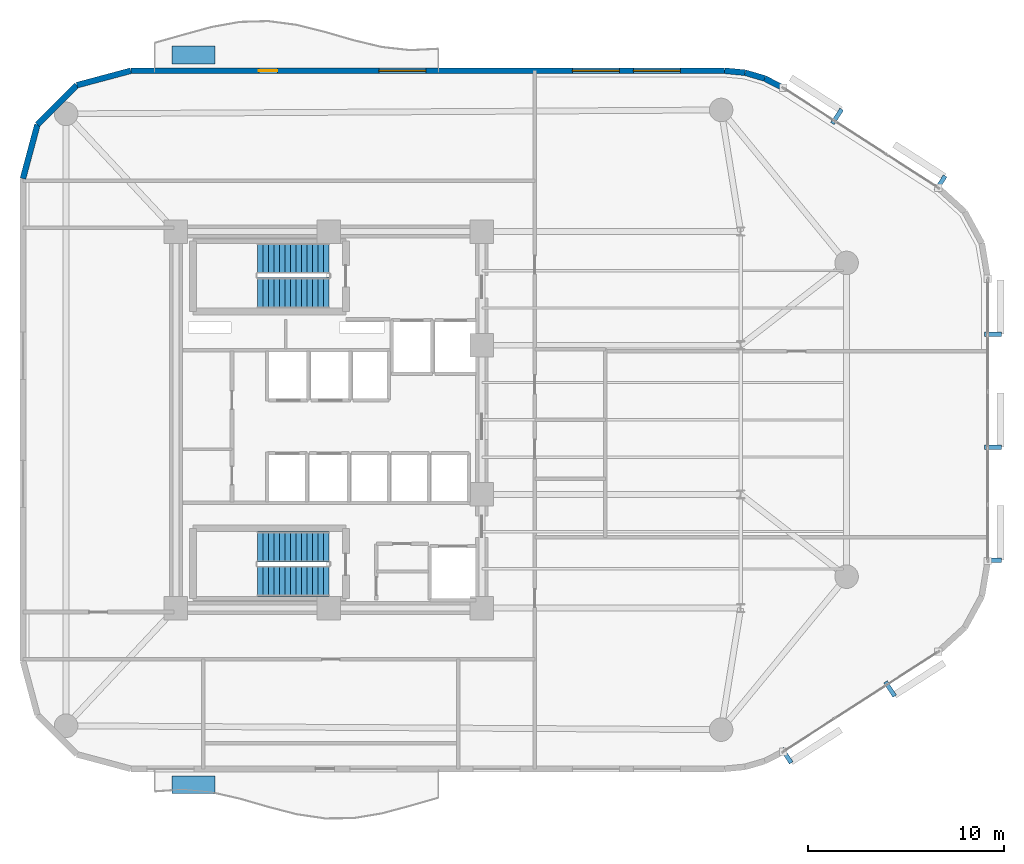
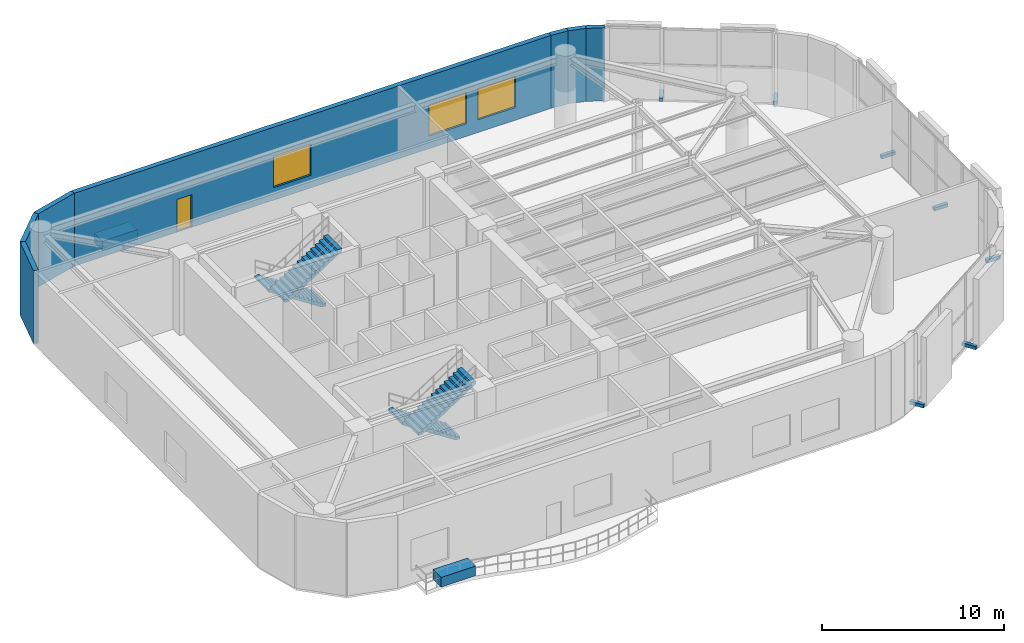
# One storey, part 10 of 12: 9 discrete accessories, 7 walls, 4 stair flights, 3 windows, 1 door, 4 openings, 2 elements without a shape of their own.
"""IFC4 building model written with IfcOpenShell, lengths in metres."""

from ifc_helpers import new_model, si_unit, direction, frame, frame_2d, origin, origin_2d, place, context, subcontext, project, spatial, polyline, rectangle, outline, extrude, material, layer, layer_set, type_object, element, fill, aggregate, save


model = new_model("IFC4")

# Units and contexts
model_context = context("Model", 3, precision=1e-05, world=origin(), true_north=direction((0.0, 1.0)))
body_context = subcontext(model_context, "Body", "Model", "MODEL_VIEW")
ifc_project = project(units=[si_unit("LENGTHUNIT", "METRE"), si_unit("AREAUNIT", "SQUARE_METRE"), si_unit("VOLUMEUNIT", "CUBIC_METRE"), si_unit("PLANEANGLEUNIT", "RADIAN"), si_unit("MASSUNIT", "GRAM", prefix="KILO")], contexts=[model_context])

# Site, building, storey
site_placement = place(None, origin())
site = spatial("IfcSite", under=ifc_project, at=site_placement, CompositionType="ELEMENT")
building_placement = place(site_placement, origin())
building = spatial("IfcBuilding", under=site, at=building_placement, Name="An Khanh Terracotta Commons", CompositionType="ELEMENT")
storey_placement = place(building_placement, frame((0.0, 0.0, 138.699951171875)))
storey = spatial("IfcBuildingStorey", under=building, at=storey_placement, Name="L36", CompositionType="ELEMENT", Elevation=138.699951171875)

# Walls
ifc_material_1 = material(Name="Precast concrete C40/50", Category="concrete")
ifc_layer = layer(ifc_material_1, 0.300048828125, Name="Precast concrete C40/50")
ifc_layer_set = layer_set([ifc_layer], Name="Precast concrete C40/50")
wall_type = type_object("IfcWallType", Name="WALL-EXT-300", PredefinedType="SOLIDWALL", material=ifc_layer_set)
wall_1_placement = place(storey_placement, frame((52.56005859375, 40.924072265625, 0.0), z_axis=(0.0, 0.0, 1.0), x_axis=(-0.888283247196, 0.459296062198, 0.0)))
element("IfcWall", 1, at=wall_1_placement, inside=storey, type_object=wall_type, Name="L36 Insulated Terracotta Exterior Wall 17", PredefinedType="SOLIDWALL", context=body_context, shape_type="SweptSolid", body=[
    extrude(rectangle(XDim=1.047119140625, YDim=0.300048828125, at=frame_2d((0.5234375, 0.0))), origin(), (0.0, 0.0, 1.0), 4.900146484375),
])
wall_2_placement = place(storey_placement, frame((51.6298828125, 41.405029296875, 0.0), z_axis=(0.0, 0.0, 1.0), x_axis=(-0.959528674476, 0.281610942363, 0.0)))
element("IfcWall", 2, at=wall_2_placement, inside=storey, type_object=wall_type, Name="L36 Insulated Terracotta Exterior Wall 18", PredefinedType="SOLIDWALL", context=body_context, shape_type="SweptSolid", body=[
    extrude(rectangle(XDim=1.04736328125, YDim=0.300048828125, at=frame_2d((0.523681640625, 0.0))), origin(), (0.0, 0.0, 1.0), 4.900146484375),
])
wall_3_placement = place(storey_placement, frame((50.625, 41.699951171875, 0.0), z_axis=(0.0, 0.0, 1.0), x_axis=(-0.995426089968, 0.095534807324, 0.0)))
element("IfcWall", 3, at=wall_3_placement, inside=storey, type_object=wall_type, Name="L36 Insulated Terracotta Exterior Wall 19", PredefinedType="SOLIDWALL", context=body_context, shape_type="SweptSolid", body=[
    extrude(rectangle(XDim=1.0478515625, YDim=0.300048828125, at=frame_2d((0.52392578125, 0.0))), origin(), (0.0, 0.0, 1.0), 4.900146484375),
])

# Wall, openings, door, windows
wall_4_placement = place(storey_placement, frame((49.58203125, 41.800048828125, 0.0), z_axis=(0.0, 0.0, 1.0), x_axis=(-1.0, 0.0, 0.0)))
wall_4 = element("IfcWall", 4, at=wall_4_placement, inside=storey, type_object=wall_type, Name="L36 Insulated Terracotta Exterior Wall 20", PredefinedType="SOLIDWALL", context=body_context, shape_type="SweptSolid", body=[
    extrude(rectangle(XDim=30.281982421875, YDim=0.300048828125, at=frame_2d((15.14111328125, 0.0))), origin(), (0.0, 0.0, 1.0), 4.900146484375),
])
opening_1_placement = place(wall_4_placement, frame((22.806884765625, 0.0, 0.0)))
opening_1 = element("IfcOpeningElement", 5, at=opening_1_placement, cuts=wall_4, Name="Opening D-BAL", PredefinedType="OPENING", context=body_context, shape_type="SweptSolid", body=[
    extrude(rectangle(XDim=0.949951171875, YDim=2.199951171875, at=frame_2d((0.47509765625, 1.10009765625))), frame((0.0, 0.159912109375, 0.0), z_axis=(0.0, -1.0, 0.0), x_axis=(1.0, 0.0, 0.0)), (0.0, 0.0, 1.0), 0.320068359375),
])
opening_2_placement = place(wall_4_placement, frame((2.260986328125, 0.0, 0.85009765625)))
opening_2 = element("IfcOpeningElement", 6, at=opening_2_placement, cuts=wall_4, Name="Opening W-07", PredefinedType="OPENING", context=body_context, shape_type="SweptSolid", body=[
    extrude(rectangle(XDim=2.39990234375, YDim=2.10009765625, at=frame_2d((1.199951171875, 1.050048828125))), frame((0.0, 0.159912109375, 0.0), z_axis=(0.0, -1.0, 0.0), x_axis=(1.0, 0.0, 0.0)), (0.0, 0.0, 1.0), 0.320068359375),
])
opening_3_placement = place(wall_4_placement, frame((5.37109375, 0.0, 0.85009765625)))
opening_3 = element("IfcOpeningElement", 7, at=opening_3_placement, cuts=wall_4, Name="Opening W-07", PredefinedType="OPENING", context=body_context, shape_type="SweptSolid", body=[
    extrude(rectangle(XDim=2.39990234375, YDim=2.10009765625, at=frame_2d((1.199951171875, 1.050048828125))), frame((0.0, 0.159912109375, 0.0), z_axis=(0.0, -1.0, 0.0), x_axis=(1.0, 0.0, 0.0)), (0.0, 0.0, 1.0), 0.320068359375),
])
opening_4_placement = place(wall_4_placement, frame((15.23193359375, 0.0, 0.85009765625)))
opening_4 = element("IfcOpeningElement", 8, at=opening_4_placement, cuts=wall_4, Name="Opening W-07", PredefinedType="OPENING", context=body_context, shape_type="SweptSolid", body=[
    extrude(rectangle(XDim=2.39990234375, YDim=2.10009765625, at=frame_2d((1.199951171875, 1.050048828125))), frame((0.0, 0.159912109375, 0.0), z_axis=(0.0, -1.0, 0.0), x_axis=(1.0, 0.0, 0.0)), (0.0, 0.0, 1.0), 0.320068359375),
])
ifc_material_2 = material(Name="Thermally Broken Aluminium and Low-E Glass", Category="aluminium")
door_type = type_object("IfcDoorType", Name="DOOR-BALC-950", OperationType="NOTDEFINED", PredefinedType="DOOR", material=ifc_material_2)
door_placement = place(opening_1_placement, origin())
door = element("IfcDoor", 9, at=door_placement, inside=storey, type_object=door_type, Name="L36 N Wave Balcony Glazed Door", OperationType="SINGLE_SWING_RIGHT", OverallHeight=2.199951171875, OverallWidth=0.949951171875, PredefinedType="DOOR", context=body_context, shape_type="SweptSolid", body=[
    extrude(rectangle(XDim=0.949951171875, YDim=2.199951171875, at=frame_2d((0.47509765625, 1.10009765625))), frame((0.0, 0.02490234375, 0.0), z_axis=(0.0, -1.0, 0.0), x_axis=(1.0, 0.0, 0.0)), (0.0, 0.0, 1.0), 0.050048828125),
])
fill(opening_1, door)
window_type = type_object("IfcWindowType", Name="WIN-SKY-2400x2100", PartitioningType="TRIPLE_PANEL_VERTICAL", PredefinedType="WINDOW", material=ifc_material_2)
window_1_placement = place(opening_2_placement, origin())
window_1 = element("IfcWindow", 10, at=window_1_placement, inside=storey, type_object=window_type, Name="L36 Operable Casement Window 20.1", OverallHeight=2.10009765625, OverallWidth=2.39990234375, PartitioningType="TRIPLE_PANEL_VERTICAL", PredefinedType="WINDOW", context=body_context, shape_type="SweptSolid", body=[
    extrude(rectangle(XDim=2.39990234375, YDim=2.10009765625, at=frame_2d((1.199951171875, 1.050048828125))), frame((0.0, 0.030029296875, 0.0), z_axis=(0.0, -1.0, 0.0), x_axis=(1.0, 0.0, 0.0)), (0.0, 0.0, 1.0), 0.06005859375),
])
fill(opening_2, window_1)
window_2_placement = place(opening_3_placement, origin())
window_2 = element("IfcWindow", 11, at=window_2_placement, inside=storey, type_object=window_type, Name="L36 Operable Casement Window 20.2", OverallHeight=2.10009765625, OverallWidth=2.39990234375, PartitioningType="TRIPLE_PANEL_VERTICAL", PredefinedType="WINDOW", context=body_context, shape_type="SweptSolid", body=[
    extrude(rectangle(XDim=2.39990234375, YDim=2.10009765625, at=frame_2d((1.199951171875, 1.050048828125))), frame((0.0, 0.030029296875, 0.0), z_axis=(0.0, -1.0, 0.0), x_axis=(1.0, 0.0, 0.0)), (0.0, 0.0, 1.0), 0.06005859375),
])
fill(opening_3, window_2)
window_3_placement = place(opening_4_placement, origin())
window_3 = element("IfcWindow", 12, at=window_3_placement, inside=storey, type_object=window_type, Name="L36 Operable Casement Window 20.3", OverallHeight=2.10009765625, OverallWidth=2.39990234375, PartitioningType="TRIPLE_PANEL_VERTICAL", PredefinedType="WINDOW", context=body_context, shape_type="SweptSolid", body=[
    extrude(rectangle(XDim=2.39990234375, YDim=2.10009765625, at=frame_2d((1.199951171875, 1.050048828125))), frame((0.0, 0.030029296875, 0.0), z_axis=(0.0, -1.0, 0.0), x_axis=(1.0, 0.0, 0.0)), (0.0, 0.0, 1.0), 0.06005859375),
])
fill(opening_4, window_3)

# Walls
wall_5_placement = place(storey_placement, frame((19.300048828125, 41.800048828125, 0.0), z_axis=(0.0, 0.0, 1.0), x_axis=(-0.965908238586, -0.258884674387, 0.0)))
element("IfcWall", 13, at=wall_5_placement, inside=storey, type_object=wall_type, Name="L36 Insulated Terracotta Exterior Wall 21", PredefinedType="SOLIDWALL", context=body_context, shape_type="SweptSolid", body=[
    extrude(rectangle(XDim=2.84716796875, YDim=0.300048828125, at=frame_2d((1.423583984375, 0.0))), origin(), (0.0, 0.0, 1.0), 4.900146484375),
])
wall_6_placement = place(storey_placement, frame((16.550048828125, 41.06298828125, 0.0), z_axis=(0.0, 0.0, 1.0), x_axis=(-0.707106781187, -0.707106781187, 0.0)))
element("IfcWall", 14, at=wall_6_placement, inside=storey, type_object=wall_type, Name="L36 Insulated Terracotta Exterior Wall 22", PredefinedType="SOLIDWALL", context=body_context, shape_type="SweptSolid", body=[
    extrude(rectangle(XDim=2.8466796875, YDim=0.300048828125, at=frame_2d((1.42333984375, 0.0))), origin(), (0.0, 0.0, 1.0), 4.900146484375),
])
wall_7_placement = place(storey_placement, frame((14.537109375, 39.050048828125, 0.0), z_axis=(0.0, 0.0, 1.0), x_axis=(-0.258884674387, -0.965908238586, 0.0)))
element("IfcWall", 15, at=wall_7_placement, inside=storey, type_object=wall_type, Name="L36 Insulated Terracotta Exterior Wall 23", PredefinedType="SOLIDWALL", context=body_context, shape_type="SweptSolid", body=[
    extrude(rectangle(XDim=2.84716796875, YDim=0.300048828125, at=frame_2d((1.423583984375, 0.0))), origin(), (0.0, 0.0, 1.0), 4.900146484375),
])

# Stair, stair flights
stair_type = type_object("IfcStairType", Name="STAIR-CORE-1550", PredefinedType="HALF_TURN_STAIR", material=ifc_material_1)
stair_1_placement = place(storey_placement, origin())
stair_1 = element("IfcStair", 16, at=stair_1_placement, inside=storey, type_object=stair_type, Name="L36 Core Smokeproof Exit Stair ST-01", PredefinedType="HALF_TURN_STAIR")
stair_flight_type = type_object("IfcStairFlightType", Name="FLIGHT-CORE-1550", PredefinedType="STRAIGHT", material=ifc_material_1)
stair_flight_1_placement = place(storey_placement, frame((29.409912109375, 32.22509765625, 0.0), z_axis=(0.0, 0.0, 1.0), x_axis=(-1.0, 0.0, 0.0)))
stair_flight_1 = element("IfcStairFlight", 17, at=stair_flight_1_placement, type_object=stair_flight_type, Name="ST-01 flight 1", NumberOfRisers=14, NumberOfTreads=13, PredefinedType="STRAIGHT", RiserHeight=0.182142857, TreadLength=0.28, context=body_context, shape_type="SweptSolid", body=[
    extrude(outline(polyline([(0.0, 0.0), (0.0, 0.18212890625), (0.280029296875, 0.18212890625), (0.280029296875, 0.3642578125), (0.56005859375, 0.3642578125), (0.56005859375, 0.54638671875), (0.840087890625, 0.54638671875), (0.840087890625, 0.728515625), (1.1201171875, 0.728515625), (1.1201171875, 0.91064453125), (1.39990234375, 0.91064453125), (1.39990234375, 1.0927734375), (1.679931640625, 1.0927734375), (1.679931640625, 1.27490234375), (1.9599609375, 1.27490234375), (1.9599609375, 1.45703125), (2.239990234375, 1.45703125), (2.239990234375, 1.639404296875), (2.52001953125, 1.639404296875), (2.52001953125, 1.821533203125), (2.800048828125, 1.821533203125), (2.800048828125, 2.003662109375), (3.080078125, 2.003662109375), (3.080078125, 2.185791015625), (3.360107421875, 2.185791015625), (3.360107421875, 2.367919921875), (3.639892578125, 2.367919921875), (3.639892578125, 2.550048828125), (3.639892578125, 2.18896484375), (0.27490234375, 0.0), (0.0, 0.0)])), frame((0.0, 0.77490234375, 0.0), z_axis=(0.0, -1.0, 0.0), x_axis=(1.0, 0.0, 0.0)), (0.0, 0.0, 1.0), 1.550048828125),
])
stair_flight_2_placement = place(storey_placement, frame((25.77001953125, 30.47509765625, 2.550048828125), z_axis=(0.0, 0.0, 1.0), x_axis=(1.0, 0.0, 0.0)))
stair_flight_2 = element("IfcStairFlight", 18, at=stair_flight_2_placement, type_object=stair_flight_type, Name="ST-01 flight 2", NumberOfRisers=14, NumberOfTreads=13, PredefinedType="STRAIGHT", RiserHeight=0.182142857, TreadLength=0.28, context=body_context, shape_type="SweptSolid", body=[
    extrude(outline(polyline([(0.0, 0.0), (0.0, 0.18212890625), (0.280029296875, 0.18212890625), (0.280029296875, 0.3642578125), (0.56005859375, 0.3642578125), (0.56005859375, 0.54638671875), (0.840087890625, 0.54638671875), (0.840087890625, 0.728515625), (1.1201171875, 0.728515625), (1.1201171875, 0.91064453125), (1.39990234375, 0.91064453125), (1.39990234375, 1.0927734375), (1.679931640625, 1.0927734375), (1.679931640625, 1.27490234375), (1.9599609375, 1.27490234375), (1.9599609375, 1.45703125), (2.239990234375, 1.45703125), (2.239990234375, 1.639404296875), (2.52001953125, 1.639404296875), (2.52001953125, 1.821533203125), (2.800048828125, 1.821533203125), (2.800048828125, 2.003662109375), (3.080078125, 2.003662109375), (3.080078125, 2.185791015625), (3.360107421875, 2.185791015625), (3.360107421875, 2.367919921875), (3.639892578125, 2.367919921875), (3.639892578125, 2.550048828125), (3.639892578125, 2.18896484375), (0.27490234375, 0.0), (0.0, 0.0)])), frame((0.0, 0.77490234375, 0.0), z_axis=(0.0, -1.0, 0.0), x_axis=(1.0, 0.0, 0.0)), (0.0, 0.0, 1.0), 1.550048828125),
])
aggregate(stair_1, [stair_flight_1, stair_flight_2])

stair_2_placement = place(storey_placement, origin())
stair_2 = element("IfcStair", 19, at=stair_2_placement, inside=storey, type_object=stair_type, Name="L36 Core Smokeproof Exit Stair ST-02", PredefinedType="HALF_TURN_STAIR")
stair_flight_3_placement = place(storey_placement, frame((29.409912109375, 17.52490234375, 0.0), z_axis=(0.0, 0.0, 1.0), x_axis=(-1.0, 0.0, 0.0)))
stair_flight_3 = element("IfcStairFlight", 20, at=stair_flight_3_placement, type_object=stair_flight_type, Name="ST-02 flight 1", NumberOfRisers=14, NumberOfTreads=13, PredefinedType="STRAIGHT", RiserHeight=0.182142857, TreadLength=0.28, context=body_context, shape_type="SweptSolid", body=[
    extrude(outline(polyline([(0.0, 0.0), (0.0, 0.18212890625), (0.280029296875, 0.18212890625), (0.280029296875, 0.3642578125), (0.56005859375, 0.3642578125), (0.56005859375, 0.54638671875), (0.840087890625, 0.54638671875), (0.840087890625, 0.728515625), (1.1201171875, 0.728515625), (1.1201171875, 0.91064453125), (1.39990234375, 0.91064453125), (1.39990234375, 1.0927734375), (1.679931640625, 1.0927734375), (1.679931640625, 1.27490234375), (1.9599609375, 1.27490234375), (1.9599609375, 1.45703125), (2.239990234375, 1.45703125), (2.239990234375, 1.639404296875), (2.52001953125, 1.639404296875), (2.52001953125, 1.821533203125), (2.800048828125, 1.821533203125), (2.800048828125, 2.003662109375), (3.080078125, 2.003662109375), (3.080078125, 2.185791015625), (3.360107421875, 2.185791015625), (3.360107421875, 2.367919921875), (3.639892578125, 2.367919921875), (3.639892578125, 2.550048828125), (3.639892578125, 2.18896484375), (0.27490234375, 0.0), (0.0, 0.0)])), frame((0.0, 0.77490234375, 0.0), z_axis=(0.0, -1.0, 0.0), x_axis=(1.0, 0.0, 0.0)), (0.0, 0.0, 1.0), 1.550048828125),
])
stair_flight_4_placement = place(storey_placement, frame((25.77001953125, 15.77490234375, 2.550048828125), z_axis=(0.0, 0.0, 1.0), x_axis=(1.0, 0.0, 0.0)))
stair_flight_4 = element("IfcStairFlight", 21, at=stair_flight_4_placement, type_object=stair_flight_type, Name="ST-02 flight 2", NumberOfRisers=14, NumberOfTreads=13, PredefinedType="STRAIGHT", RiserHeight=0.182142857, TreadLength=0.28, context=body_context, shape_type="SweptSolid", body=[
    extrude(outline(polyline([(0.0, 0.0), (0.0, 0.18212890625), (0.280029296875, 0.18212890625), (0.280029296875, 0.3642578125), (0.56005859375, 0.3642578125), (0.56005859375, 0.54638671875), (0.840087890625, 0.54638671875), (0.840087890625, 0.728515625), (1.1201171875, 0.728515625), (1.1201171875, 0.91064453125), (1.39990234375, 0.91064453125), (1.39990234375, 1.0927734375), (1.679931640625, 1.0927734375), (1.679931640625, 1.27490234375), (1.9599609375, 1.27490234375), (1.9599609375, 1.45703125), (2.239990234375, 1.45703125), (2.239990234375, 1.639404296875), (2.52001953125, 1.639404296875), (2.52001953125, 1.821533203125), (2.800048828125, 1.821533203125), (2.800048828125, 2.003662109375), (3.080078125, 2.003662109375), (3.080078125, 2.185791015625), (3.360107421875, 2.185791015625), (3.360107421875, 2.367919921875), (3.639892578125, 2.367919921875), (3.639892578125, 2.550048828125), (3.639892578125, 2.18896484375), (0.27490234375, 0.0), (0.0, 0.0)])), frame((0.0, 0.77490234375, 0.0), z_axis=(0.0, -1.0, 0.0), x_axis=(1.0, 0.0, 0.0)), (0.0, 0.0, 1.0), 1.550048828125),
])
aggregate(stair_2, [stair_flight_3, stair_flight_4])

# Discrete accessories
ifc_material_3 = material(Name="Stainless Steel Grade 316L", Category="steel")
discrete_accessory_type_1 = type_object("IfcDiscreteAccessoryType", Name="Stainless Outrigger Facade Bracket", PredefinedType="BRACKET", material=ifc_material_3)
for number, where, z_axis, x_axis, name in (
    (22, (52.737060546875, 6.875, 0.06982421875), (0.0, 0.0, 1.0), (0.840702081986, 0.541497931062, 0.0), "L36 Terracotta Screen Outrigger Bracket 1"),
    (23, (58.01611328125, 10.27490234375, 0.06982421875), (0.0, 0.0, 1.0), (0.840702081986, 0.541497931062, 0.0), "L36 Terracotta Screen Outrigger Bracket 3"),
    (24, (63.264892578125, 16.840087890625, 0.06982421875), (0.0, 0.0, 1.0), (0.0, 1.0, 0.0), "L36 Terracotta Screen Outrigger Bracket 1"),
    (25, (63.264892578125, 22.60009765625, 0.06982421875), (0.0, 0.0, 1.0), (0.0, 1.0, 0.0), "L36 Terracotta Screen Outrigger Bracket 3"),
    (26, (63.264892578125, 28.360107421875, 0.06982421875), (0.0, 0.0, 1.0), (0.0, 1.0, 0.0), "L36 Terracotta Screen Outrigger Bracket 5"),
    (27, (60.587890625, 36.068115234375, 0.06982421875), (0.0, 0.0, 1.0), (-0.840702081986, 0.541497931062, 0.0), "L36 Terracotta Screen Outrigger Bracket 1"),
    (28, (55.30908203125, 39.468017578125, 0.06982421875), (0.0, 0.0, 1.0), (-0.840702081986, 0.541497931062, 0.0), "L36 Terracotta Screen Outrigger Bracket 3"),
):
    element("IfcDiscreteAccessory", number, at=place(storey_placement, frame(where, z_axis=z_axis, x_axis=x_axis)), inside=storey, type_object=discrete_accessory_type_1, Name=name, PredefinedType="BRACKET", context=body_context, shape_type="SweptSolid", body=[
        extrude(rectangle(XDim=0.219970703125, YDim=0.8701171875, at=origin_2d()), origin(), (0.0, 0.0, 1.0), 0.219970703125),
    ])
ifc_material_4 = material(Name="Planted Garden Soil Substrate in Precast GRC", Category="concrete")
discrete_accessory_type_2 = type_object("IfcDiscreteAccessoryType", Name="Terrace Garden Planter", PredefinedType="USERDEFINED", material=ifc_material_4)
for number, where, z_axis, x_axis, name in (
    (29, (22.5, 5.39990234375, 0.0), (0.0, 0.0, 1.0), (1.0, 0.0, 0.0), "L36 S Sky Balcony Planter"),
    (30, (22.5, 42.60009765625, 0.0), (0.0, 0.0, 1.0), (1.0, 0.0, 0.0), "L36 N Sky Balcony Planter"),
):
    element("IfcDiscreteAccessory", number, at=place(storey_placement, frame(where, z_axis=z_axis, x_axis=x_axis)), inside=storey, type_object=discrete_accessory_type_2, Name=name, ObjectType="PLANTER", PredefinedType="USERDEFINED", context=body_context, shape_type="SweptSolid", body=[
        extrude(rectangle(XDim=2.199951171875, YDim=0.89990234375, at=origin_2d()), origin(), (0.0, 0.0, 1.0), 0.64990234375),
    ])

save(model, "model.ifc")
